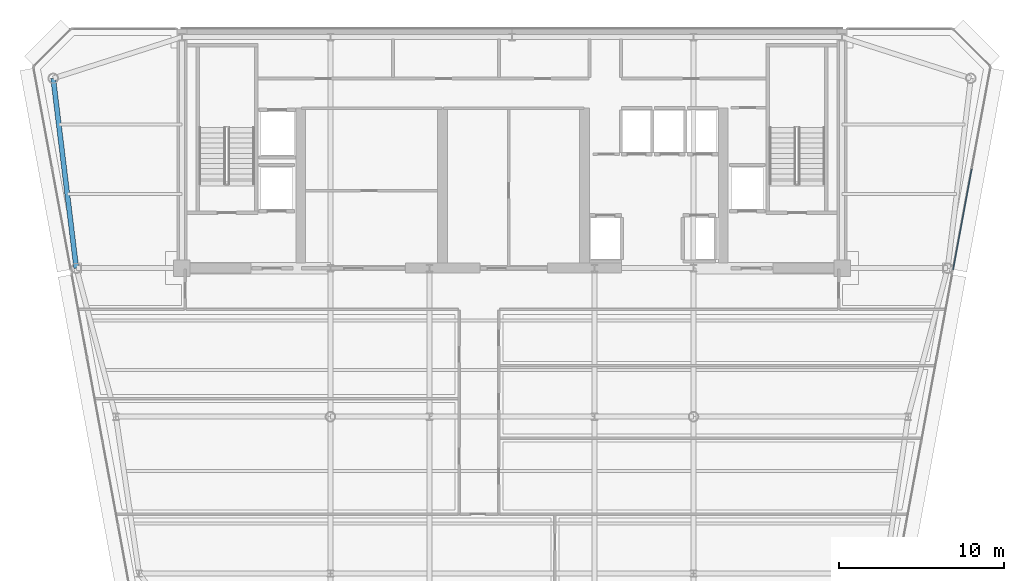
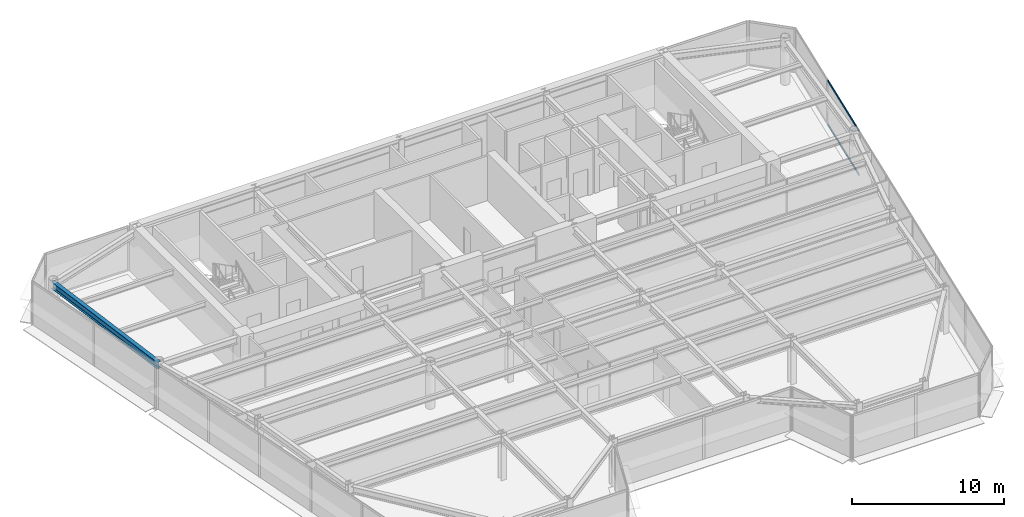
# One storey, part 7 of 16: 2 members, 1 beam, 1 element without a shape of its own.
"""IFC4 building model written with IfcOpenShell, lengths in metres."""

from ifc_helpers import new_model, si_unit, direction, frame, origin, origin_2d, place, context, subcontext, project, spatial, rectangle, i_section, extrude, source, transform, mapped, material, layer, layer_set, material_profile, profile_set, type_object, element, aggregate, save


model = new_model("IFC4")

# Units and contexts
model_context = context("Model", 3, precision=1e-05, world=origin(), true_north=direction((0.0, 1.0)))
body_context = subcontext(model_context, "Body", "Model", "MODEL_VIEW")
ifc_project = project(units=[si_unit("LENGTHUNIT", "METRE"), si_unit("AREAUNIT", "SQUARE_METRE"), si_unit("VOLUMEUNIT", "CUBIC_METRE"), si_unit("PLANEANGLEUNIT", "RADIAN"), si_unit("MASSUNIT", "GRAM", prefix="KILO")], contexts=[model_context])

# Site, building, storey
site_placement = place(None, origin())
site = spatial("IfcSite", under=ifc_project, at=site_placement, CompositionType="ELEMENT")
building_placement = place(site_placement, origin())
building = spatial("IfcBuilding", under=site, at=building_placement, Name="Vaeldorn Concourse Tower", CompositionType="ELEMENT")
storey_placement = place(building_placement, frame((0.0, 0.0, 227.0)))
storey = spatial("IfcBuildingStorey", under=building, at=storey_placement, Name="L58", CompositionType="ELEMENT", Elevation=227.0)

# Beam
ifc_material_1 = material(Name="Steel S355", Category="steel")
ifc_material_profile_1 = material_profile(ifc_material_1, i_section(OverallWidth=0.300048828125, OverallDepth=0.550048828125, WebThickness=0.014892578125, FlangeThickness=0.029052734375, FilletRadius=0.027099609375, at=origin_2d()), Name="HEB 550")
ifc_profile_set_1 = profile_set([ifc_material_profile_1], Name="Steel S355")
beam_type = type_object("IfcBeamType", Name="BM-PG-HEB550", PredefinedType="BEAM", material=ifc_profile_set_1)
shared_shape_1 = source(origin(), body_context, "Body", "SweptSolid", [
    extrude(i_section(OverallWidth=0.300048828125, OverallDepth=0.550048828125, WebThickness=0.014892578125, FlangeThickness=0.029052734375, FilletRadius=0.027099609375, at=origin_2d()), origin(), (0.0, 0.0, 1.0), 11.5849609375),
])
beam_placement = place(storey_placement, frame((6.199951171875, 48.0, 3.304931640625), z_axis=(0.120859382899, -0.992669637677, 0.0), x_axis=(0.992669637677, 0.120859382899, 0.0)))
element("IfcBeam", 1, at=beam_placement, inside=storey, type_object=beam_type, Name="Beam BM-L58-C-NW1-C-NW2", PredefinedType="BEAM", context=body_context, shape_type="MappedRepresentation", body=[
    mapped(shared_shape_1, transform((0.0, 0.0, 0.0), scale=1.0)),
])

# Curtain wall, members
ifc_material_2 = material(Name="Anodised Bronze Aluminium", Category="aluminium")
ifc_layer = layer(ifc_material_2, 0.179931640625)
ifc_layer_set = layer_set([ifc_layer], Name="Anodised Bronze Aluminium")
curtain_wall_type = type_object("IfcCurtainWallType", Name="CW-SYS-05", PredefinedType="NOTDEFINED", material=ifc_layer_set)
curtain_wall_placement = place(storey_placement, origin())
curtain_wall = element("IfcCurtainWall", 2, at=curtain_wall_placement, inside=storey, type_object=curtain_wall_type, Name="Unitised Curtain Wall CW-L58-E07-2", PredefinedType="NOTDEFINED")
ifc_material_profile_2 = material_profile(ifc_material_2, rectangle(XDim=0.06494140625, YDim=0.14990234375, at=origin_2d()), Name="CWT 65x150")
ifc_profile_set_2 = profile_set([ifc_material_profile_2], Name="Anodised Bronze Aluminium")
member_type = type_object("IfcMemberType", Name="CWT-BRONZE-150", PredefinedType="USERDEFINED", material=ifc_profile_set_2)
shared_shape_2 = source(origin(), body_context, "Body", "SweptSolid", [
    extrude(rectangle(XDim=0.06494140625, YDim=0.14990234375, at=origin_2d()), origin(), (0.0, 0.0, 1.0), 6.183837890625),
])
member_1_placement = place(storey_placement, frame((60.726806640625, 36.410888671875, 0.032470703125), z_axis=(0.181889913007, 0.983318900228, 0.0), x_axis=(-0.983318900228, 0.181889913007, 0.0)))
member_1 = element("IfcMember", 3, at=member_1_placement, type_object=member_type, Name="CW-05 transom 1.1", ObjectType="TRANSOM", PredefinedType="USERDEFINED", context=body_context, shape_type="MappedRepresentation", body=[
    mapped(shared_shape_2, transform((0.0, 0.0, 0.0), scale=1.0)),
])
member_2_placement = place(storey_placement, frame((60.726806640625, 36.410888671875, 3.547607421875), z_axis=(0.181889913007, 0.983318900228, 0.0), x_axis=(-0.983318900228, 0.181889913007, 0.0)))
member_2 = element("IfcMember", 4, at=member_2_placement, type_object=member_type, Name="CW-05 transom 1.2", ObjectType="TRANSOM", PredefinedType="USERDEFINED", context=body_context, shape_type="MappedRepresentation", body=[
    mapped(shared_shape_2, transform((0.0, 0.0, 0.0), scale=1.0)),
])
aggregate(curtain_wall, [member_1, member_2])

save(model, "model.ifc")
